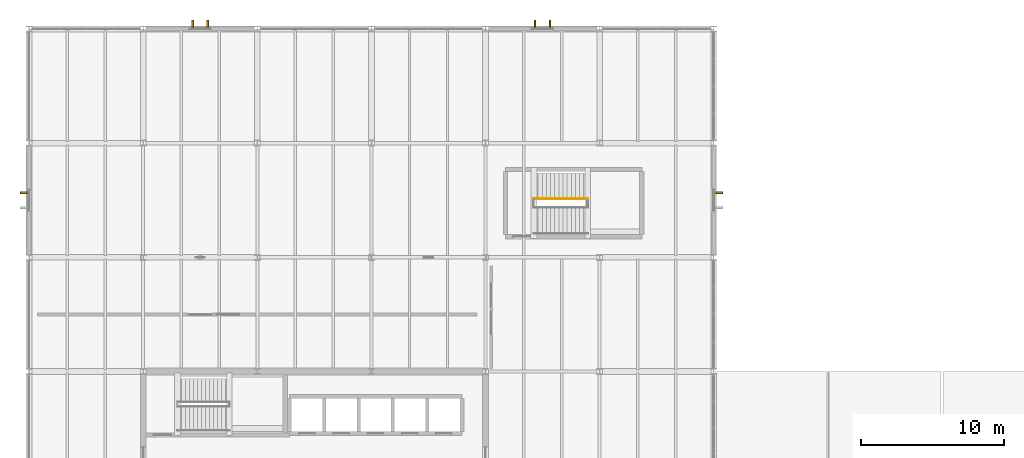
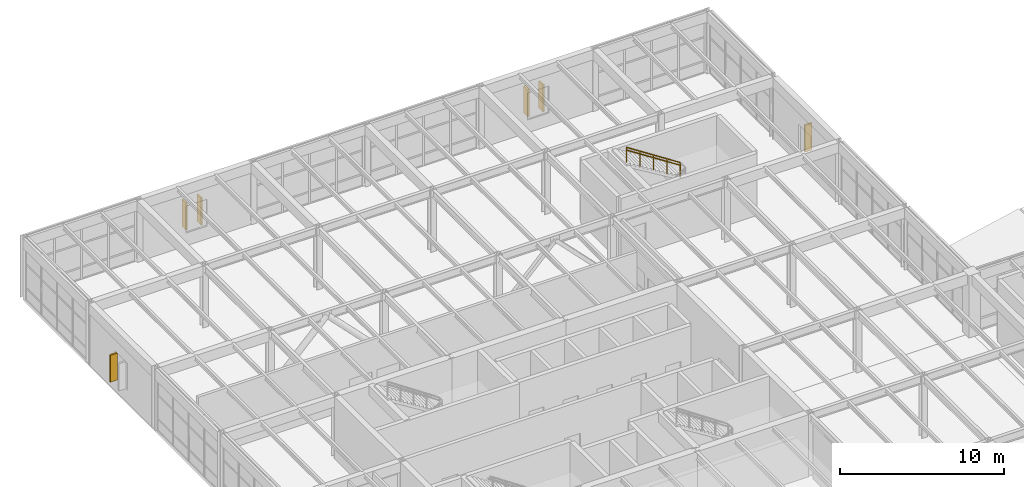
# One storey, part 57 of 60: 6 shading devices, 2 railings.
"""IFC4 building model written with IfcOpenShell, lengths in metres."""

from ifc_helpers import new_model, si_unit, direction, frame, origin, origin_2d, place, context, subcontext, project, spatial, rectangle, circle, extrude, material, type_object, element, save


model = new_model("IFC4")

# Units and contexts
model_context = context("Model", 3, precision=1e-05, world=origin(), true_north=direction((0.0, 1.0)))
body_context = subcontext(model_context, "Body", "Model", "MODEL_VIEW")
ifc_project = project(units=[si_unit("LENGTHUNIT", "METRE"), si_unit("AREAUNIT", "SQUARE_METRE"), si_unit("VOLUMEUNIT", "CUBIC_METRE"), si_unit("PLANEANGLEUNIT", "RADIAN"), si_unit("MASSUNIT", "GRAM", prefix="KILO")], contexts=[model_context])

# Site, building, storey
site_placement = place(None, origin())
site = spatial("IfcSite", under=ifc_project, at=site_placement, CompositionType="ELEMENT")
building_placement = place(site_placement, origin())
building = spatial("IfcBuilding", under=site, at=building_placement, Name="Varnela Railside Interchange", CompositionType="ELEMENT")
storey_placement = place(building_placement, frame((0.0, 0.0, 6.300048828125)))
storey = spatial("IfcBuildingStorey", under=building, at=storey_placement, Name="L01", CompositionType="ELEMENT", Elevation=6.300048828125)

# Shading devices
ifc_material_1 = material(Name="Concrete C40 precast", Category="concrete")
shading_device_type = type_object("IfcShadingDeviceType", Name="Paulista Vertical Brise-Soleil BS-01", PredefinedType="USERDEFINED", material=ifc_material_1)
for number, where, z_axis, x_axis, name in (
    (1, (3.614990234375, 82.52490234375, 0.949951171875), (0.0, 0.0, 1.0), (-1.0, 0.0, 0.0), "Paulista Vertical Brise-Soleil BS-01 (L01)"),
    (2, (15.47509765625, 94.385009765625, 0.949951171875), (0.0, 0.0, 1.0), (0.0, 1.0, 0.0), "Paulista Vertical Brise-Soleil BS-01 (L01)"),
    (3, (16.52490234375, 94.385009765625, 0.949951171875), (0.0, 0.0, 1.0), (0.0, 1.0, 0.0), "Paulista Vertical Brise-Soleil BS-01 (L01)"),
    (4, (39.47509765625, 94.385009765625, 0.949951171875), (0.0, 0.0, 1.0), (0.0, 1.0, 0.0), "Paulista Vertical Brise-Soleil BS-01 (L01)"),
    (5, (40.52490234375, 94.385009765625, 0.949951171875), (0.0, 0.0, 1.0), (0.0, 1.0, 0.0), "Paulista Vertical Brise-Soleil BS-01 (L01)"),
    (6, (52.385009765625, 82.52490234375, 0.949951171875), (0.0, 0.0, 1.0), (1.0, 0.0, 0.0), "Paulista Vertical Brise-Soleil BS-01 (L01)"),
):
    element("IfcShadingDevice", number, at=place(storey_placement, frame(where, z_axis=z_axis, x_axis=x_axis)), inside=storey, type_object=shading_device_type, Name=name, ObjectType="FIN", PredefinedType="USERDEFINED", context=body_context, shape_type="SweptSolid", body=[
        extrude(rectangle(XDim=0.5, YDim=0.1201171875, at=origin_2d()), origin(), (0.0, 0.0, 1.0), 2.0),
    ])

# Railings
ifc_material_2 = material(Name="Steel AR 350 (350 MPa)", Category="steel")
railing_type_1 = type_object("IfcRailingType", Name="Stair & Ramp Pitch Handrail HR-01", PredefinedType="HANDRAIL", material=ifc_material_2)
railing_1_placement = place(storey_placement, frame((43.169921875, 82.10009765625, 2.449951171875)))
element("IfcRailing", 7, at=railing_1_placement, inside=storey, type_object=railing_type_1, Name="Stair Handrail ST-W1 Flight 2 (RL-0318)", PredefinedType="HANDRAIL", context=body_context, shape_type="SweptSolid", body=[
    extrude(circle(Radius=0.02392578125, at=origin_2d()), frame((0.0, 0.0, 0.89599609375), z_axis=(-0.838500679196, 0.0, 0.544900551466), x_axis=(0.0, -1.0, 0.0)), (0.0, 0.0, 1.0), 4.49609375),
    extrude(circle(Radius=0.02099609375, at=origin_2d()), origin(), (0.0, 0.0, 1.0), 0.871826171875),
    extrude(circle(Radius=0.02099609375, at=origin_2d()), frame((-0.9423828125, 0.0, 0.612548828125)), (0.0, 0.0, 1.0), 0.871826171875),
    extrude(circle(Radius=0.02099609375, at=origin_2d()), frame((-1.885009765625, 0.0, 1.22509765625)), (0.0, 0.0, 1.0), 0.871826171875),
    extrude(circle(Radius=0.02099609375, at=origin_2d()), frame((-2.82763671875, 0.0, 1.83740234375)), (0.0, 0.0, 1.0), 0.871826171875),
    extrude(circle(Radius=0.02099609375, at=origin_2d()), frame((-3.77001953125, 0.0, 2.449951171875)), (0.0, 0.0, 1.0), 0.871826171875),
])
railing_type_2 = type_object("IfcRailingType", Name="Stair Well & Landing Guard GR-02", PredefinedType="GUARDRAIL", material=ifc_material_2)
railing_2_placement = place(storey_placement, frame((43.169921875, 82.10009765625, 2.449951171875)))
element("IfcRailing", 8, at=railing_2_placement, inside=storey, type_object=railing_type_2, Name="Stair Guard ST-W1 Upper Flight (RL-0292)", PredefinedType="GUARDRAIL", context=body_context, shape_type="SweptSolid", body=[
    extrude(circle(Radius=0.02392578125, at=origin_2d()), frame((0.0, 0.0, 1.09619140625), z_axis=(-0.838500679196, 0.0, 0.544900551466), x_axis=(0.0, -1.0, 0.0)), (0.0, 0.0, 1.0), 4.49609375),
    extrude(circle(Radius=0.02099609375, at=origin_2d()), origin(), (0.0, 0.0, 1.0), 1.072021484375),
    extrude(circle(Radius=0.02099609375, at=origin_2d()), frame((-0.9423828125, 0.0, 0.612548828125)), (0.0, 0.0, 1.0), 1.072021484375),
    extrude(circle(Radius=0.02099609375, at=origin_2d()), frame((-1.885009765625, 0.0, 1.22509765625)), (0.0, 0.0, 1.0), 1.072021484375),
    extrude(circle(Radius=0.02099609375, at=origin_2d()), frame((-2.82763671875, 0.0, 1.83740234375)), (0.0, 0.0, 1.0), 1.072021484375),
    extrude(circle(Radius=0.02099609375, at=origin_2d()), frame((-3.77001953125, 0.0, 2.449951171875)), (0.0, 0.0, 1.0), 1.072021484375),
])

save(model, "model.ifc")
